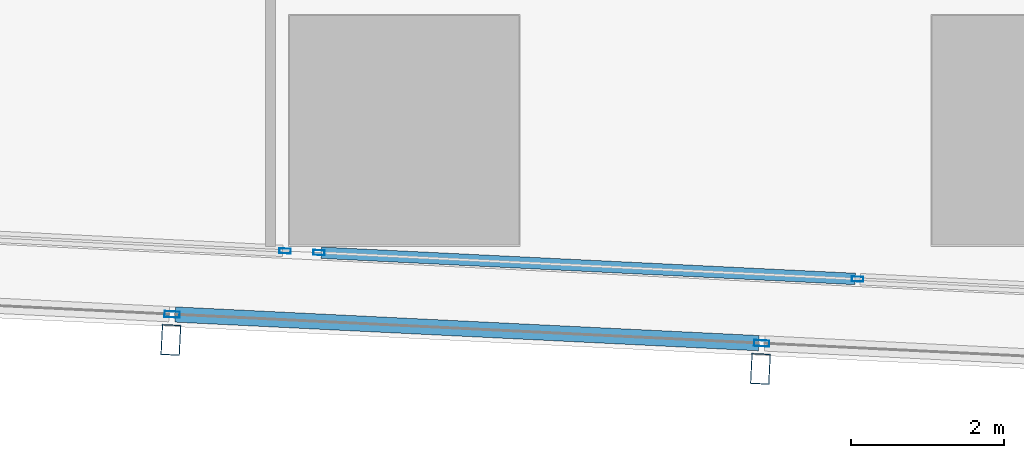
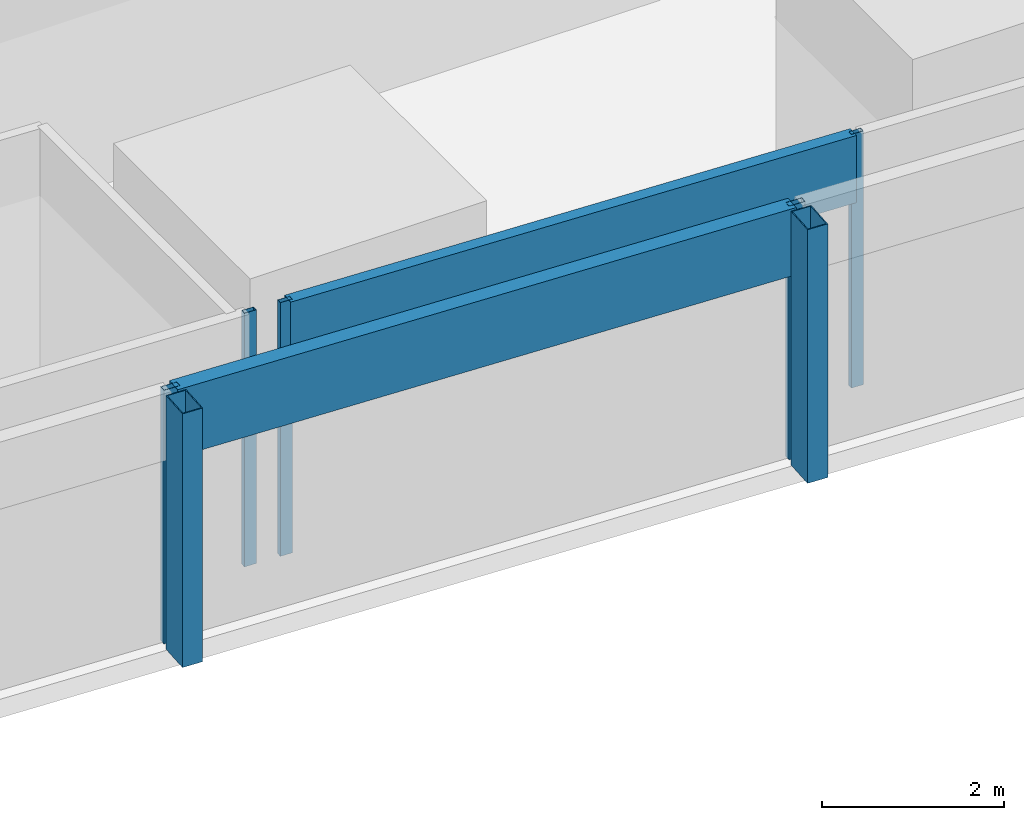
# One storey, part 5 of 44: 9 members, 3 elements without a shape of their own.
"""IFC4 building model written with IfcOpenShell, lengths in metres."""

from ifc_helpers import new_model, si_unit, direction, frame, origin, origin_2d, place, context, subcontext, project, spatial, hollow_rectangle, extrude, material, material_profile, profile_set, type_object, element, aggregate, save


model = new_model("IFC4")

# Units and contexts
model_context = context("Model", 3, precision=1e-05, world=origin(), true_north=direction((0.0, 1.0)))
body_context = subcontext(model_context, "Body", "Model", "MODEL_VIEW")
ifc_project = project(units=[si_unit("LENGTHUNIT", "METRE"), si_unit("AREAUNIT", "SQUARE_METRE"), si_unit("VOLUMEUNIT", "CUBIC_METRE"), si_unit("PLANEANGLEUNIT", "RADIAN"), si_unit("MASSUNIT", "GRAM", prefix="KILO")], contexts=[model_context])

# Site, building, storey
site_placement = place(None, origin())
site = spatial("IfcSite", under=ifc_project, at=site_placement, CompositionType="ELEMENT")
building_placement = place(site_placement, origin())
building = spatial("IfcBuilding", under=site, at=building_placement, Name="Rekha Terrace Tower", CompositionType="ELEMENT")
storey_placement = place(building_placement, frame((0.0, 0.0, 81.64990234375)))
storey = spatial("IfcBuildingStorey", under=building, at=storey_placement, Name="L20", CompositionType="ELEMENT", Elevation=81.64990234375)

# Curtain wall, members
ifc_material_1 = material(Name="Aluminium framing", Category="aluminium")
curtain_wall_type_1 = type_object("IfcCurtainWallType", Name="CW2 double skin outer glazing", PredefinedType="USERDEFINED", material=ifc_material_1)
curtain_wall_1_placement = place(storey_placement, origin())
curtain_wall_1 = element("IfcCurtainWall", 1, at=curtain_wall_1_placement, inside=storey, type_object=curtain_wall_type_1, Name="CW2 double skin outer glazing", ObjectType="DOUBLE SKIN OUTER GLAZING", PredefinedType="USERDEFINED")
ifc_material_2 = material(Name="Steel S355 with fluorocarbon finish", Category="steel")
ifc_material_profile_1 = material_profile(ifc_material_2, hollow_rectangle(XDim=0.25, YDim=0.39990234375, WallThickness=0.012451171875, at=origin_2d()), Name="RHS400x250x12.5")
ifc_profile_set_1 = profile_set([ifc_material_profile_1], Name="Steel S355 with fluorocarbon finish")
member_type_1 = type_object("IfcMemberType", Name="BL1 facade blade RHS 400 x 250", PredefinedType="USERDEFINED", material=ifc_profile_set_1)
member_1_placement = place(storey_placement, frame((22.14990234375, 5.6611328125, 0.0), z_axis=(0.0, 0.0, 1.0), x_axis=(0.998796226835, -0.049051985279, 0.0)))
member_1 = element("IfcMember", 2, at=member_1_placement, type_object=member_type_1, Name="Facade blade", ObjectType="FACADE BLADE", PredefinedType="USERDEFINED", context=body_context, shape_type="SweptSolid", body=[
    extrude(hollow_rectangle(XDim=0.25, YDim=0.39990234375, WallThickness=0.012451171875, at=origin_2d()), origin(), (0.0, 0.0, 1.0), 3.400146484375),
])
member_2_placement = place(storey_placement, frame((29.856201171875, 5.28271484375, 0.0), z_axis=(0.0, 0.0, 1.0), x_axis=(0.998796226835, -0.049051985279, 0.0)))
member_2 = element("IfcMember", 3, at=member_2_placement, type_object=member_type_1, Name="Facade blade", ObjectType="FACADE BLADE", PredefinedType="USERDEFINED", context=body_context, shape_type="SweptSolid", body=[
    extrude(hollow_rectangle(XDim=0.25, YDim=0.39990234375, WallThickness=0.012451171875, at=origin_2d()), origin(), (0.0, 0.0, 1.0), 3.400146484375),
])

# Curtain wall, member
curtain_wall_type_2 = type_object("IfcCurtainWallType", Name="CW1 double skin inner glazing", PredefinedType="USERDEFINED", material=ifc_material_1)
curtain_wall_2_placement = place(storey_placement, origin())
curtain_wall_2 = element("IfcCurtainWall", 4, at=curtain_wall_2_placement, inside=storey, type_object=curtain_wall_type_2, Name="CW1 double skin inner glazing", ObjectType="DOUBLE SKIN INNER GLAZING", PredefinedType="USERDEFINED")
ifc_material_3 = material(Name="Aluminium mullion section", Category="aluminium")
ifc_material_profile_2 = material_profile(ifc_material_3, hollow_rectangle(XDim=0.06494140625, YDim=0.14990234375, WallThickness=0.00390625, at=origin_2d()), Name="AL RHS 65x150")
ifc_profile_set_2 = profile_set([ifc_material_profile_2], Name="Aluminium mullion section")
member_type_2 = type_object("IfcMemberType", Name="CW1 mullion RHS 65 x 150", PredefinedType="MULLION", material=ifc_profile_set_2)
member_3_placement = place(storey_placement, frame((23.642822265625, 6.82421875, 0.0), z_axis=(0.0, 0.0, 1.0), x_axis=(0.049051717746, 0.998796239974, 0.0)))
member_3 = element("IfcMember", 5, at=member_3_placement, type_object=member_type_2, Name="CW1 mullion 2", PredefinedType="MULLION", context=body_context, shape_type="SweptSolid", body=[
    extrude(hollow_rectangle(XDim=0.06494140625, YDim=0.14990234375, WallThickness=0.00390625, at=origin_2d()), origin(), (0.0, 0.0, 1.0), 3.400146484375),
])
aggregate(curtain_wall_2, [member_3])

# Curtain wall, members
curtain_wall_3_placement = place(storey_placement, origin())
curtain_wall_3 = element("IfcCurtainWall", 6, at=curtain_wall_3_placement, inside=storey, type_object=curtain_wall_type_2, Name="CW1 double skin inner glazing", ObjectType="DOUBLE SKIN INNER GLAZING", PredefinedType="USERDEFINED")
member_4_placement = place(storey_placement, frame((24.085693359375, 6.802490234375, 0.0), z_axis=(0.0, 0.0, 1.0), x_axis=(0.049051717763, 0.998796239973, 0.0)))
member_4 = element("IfcMember", 7, at=member_4_placement, type_object=member_type_2, Name="CW1 mullion 1", PredefinedType="MULLION", context=body_context, shape_type="SweptSolid", body=[
    extrude(hollow_rectangle(XDim=0.06494140625, YDim=0.14990234375, WallThickness=0.00390625, at=origin_2d()), origin(), (0.0, 0.0, 1.0), 3.400146484375),
])
member_5_placement = place(storey_placement, frame((31.1259765625, 6.456787109375, 0.0), z_axis=(0.0, 0.0, 1.0), x_axis=(0.049051717763, 0.998796239973, 0.0)))
member_5 = element("IfcMember", 8, at=member_5_placement, type_object=member_type_2, Name="CW1 mullion 2", PredefinedType="MULLION", context=body_context, shape_type="SweptSolid", body=[
    extrude(hollow_rectangle(XDim=0.06494140625, YDim=0.14990234375, WallThickness=0.00390625, at=origin_2d()), origin(), (0.0, 0.0, 1.0), 3.400146484375),
])
ifc_material_4 = material(Name="Insulated aluminium spandrel box", Category="aluminium")
ifc_material_profile_3 = material_profile(ifc_material_4, hollow_rectangle(XDim=0.14990234375, YDim=0.89990234375, WallThickness=0.0029296875, at=origin_2d()), Name="AL SPANDREL BOX 150x900")
ifc_profile_set_3 = profile_set([ifc_material_profile_3], Name="Insulated aluminium spandrel box")
member_type_3 = type_object("IfcMemberType", Name="CW1 spandrel transom 150 x 900", PredefinedType="USERDEFINED", material=ifc_profile_set_3)
member_6_placement = place(storey_placement, frame((24.1181640625, 6.801025390625, 2.9501953125), z_axis=(0.998796489465, -0.049046637315, 0.0), x_axis=(0.049046637315, 0.998796489465, 0.0)))
member_6 = element("IfcMember", 9, at=member_6_placement, type_object=member_type_3, Name="CW1 spandrel transom 1", ObjectType="TRANSOM", PredefinedType="USERDEFINED", context=body_context, shape_type="SweptSolid", body=[
    extrude(hollow_rectangle(XDim=0.14990234375, YDim=0.89990234375, WallThickness=0.0029296875, at=origin_2d()), origin(), (0.0, 0.0, 1.0), 6.983642578125),
])
aggregate(curtain_wall_3, [member_4, member_5, member_6])

# Member
ifc_material_profile_4 = material_profile(ifc_material_3, hollow_rectangle(XDim=0.080078125, YDim=0.199951171875, WallThickness=0.00390625, at=origin_2d()), Name="AL RHS 80x200")
ifc_profile_set_4 = profile_set([ifc_material_profile_4], Name="Aluminium mullion section")
member_type_4 = type_object("IfcMemberType", Name="CW2 mullion RHS 80 x 200", PredefinedType="MULLION", material=ifc_profile_set_4)
member_7_placement = place(storey_placement, frame((22.166259765625, 5.99560546875, 0.0), z_axis=(0.0, 0.0, 1.0), x_axis=(0.049051717746, 0.998796239974, 0.0)))
member_7 = element("IfcMember", 10, at=member_7_placement, type_object=member_type_4, Name="CW2 mullion 3", PredefinedType="MULLION", context=body_context, shape_type="SweptSolid", body=[
    extrude(hollow_rectangle(XDim=0.080078125, YDim=0.199951171875, WallThickness=0.00390625, at=origin_2d()), origin(), (0.0, 0.0, 1.0), 3.400146484375),
])

member_8_placement = place(storey_placement, frame((29.872802734375, 5.6171875, 0.0), z_axis=(0.0, 0.0, 1.0), x_axis=(0.049051717746, 0.998796239974, 0.0)))
member_8 = element("IfcMember", 11, at=member_8_placement, type_object=member_type_4, Name="CW2 mullion 4", PredefinedType="MULLION", context=body_context, shape_type="SweptSolid", body=[
    extrude(hollow_rectangle(XDim=0.080078125, YDim=0.199951171875, WallThickness=0.00390625, at=origin_2d()), origin(), (0.0, 0.0, 1.0), 3.400146484375),
])

ifc_material_profile_5 = material_profile(ifc_material_4, hollow_rectangle(XDim=0.199951171875, YDim=0.89990234375, WallThickness=0.0029296875, at=origin_2d()), Name="AL SPANDREL BOX 200x900")
ifc_profile_set_5 = profile_set([ifc_material_profile_5], Name="Insulated aluminium spandrel box")
member_type_5 = type_object("IfcMemberType", Name="CW2 spandrel transom 200 x 900", PredefinedType="USERDEFINED", material=ifc_profile_set_5)
member_9_placement = place(storey_placement, frame((22.206298828125, 5.99365234375, 2.9501953125), z_axis=(0.998796434643, -0.049047753721, 0.0), x_axis=(0.049047753721, 0.998796434643, 0.0)))
member_9 = element("IfcMember", 12, at=member_9_placement, type_object=member_type_5, Name="CW2 spandrel transom 3", ObjectType="TRANSOM", PredefinedType="USERDEFINED", context=body_context, shape_type="SweptSolid", body=[
    extrude(hollow_rectangle(XDim=0.199951171875, YDim=0.89990234375, WallThickness=0.0029296875, at=origin_2d()), origin(), (0.0, 0.0, 1.0), 7.6357421875),
])

aggregate(curtain_wall_1, [member_7, member_8, member_9, member_1, member_2])

save(model, "model.ifc")
